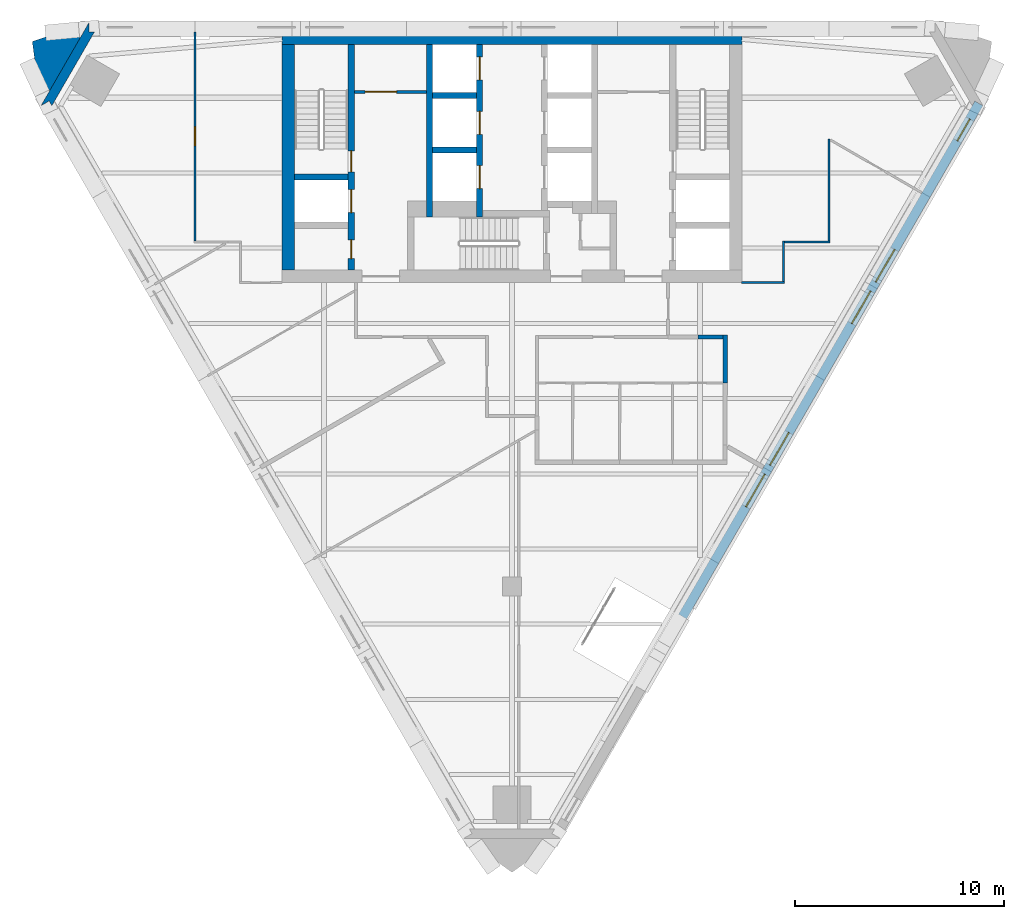
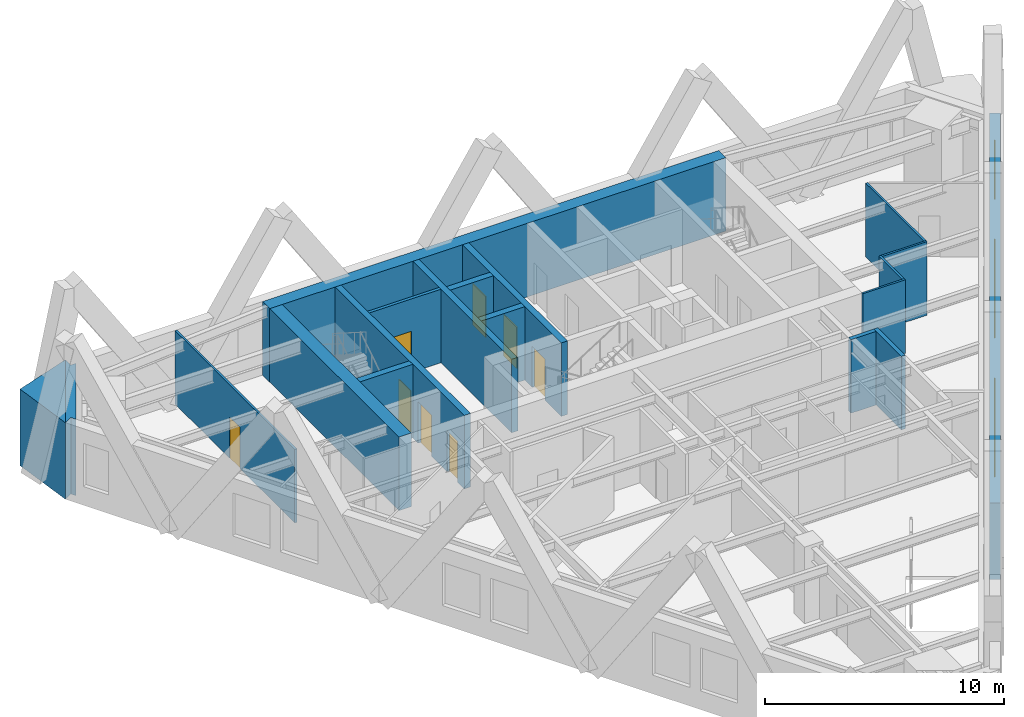
# One storey, part 6 of 11: 19 walls, 8 doors, 5 windows, 13 openings.
"""IFC4 building model written with IfcOpenShell, lengths in metres."""

from ifc_helpers import new_model, si_unit, direction, frame, frame_2d, origin, place, context, subcontext, project, spatial, polyline, rectangle, outline, extrude, material, layer, layer_set, type_object, element, fill, save


model = new_model("IFC4")

# Units and contexts
model_context = context("Model", 3, precision=1e-05, world=origin(), true_north=direction((0.0, 1.0)))
body_context = subcontext(model_context, "Body", "Model", "MODEL_VIEW")
ifc_project = project(units=[si_unit("LENGTHUNIT", "METRE"), si_unit("AREAUNIT", "SQUARE_METRE"), si_unit("VOLUMEUNIT", "CUBIC_METRE"), si_unit("PLANEANGLEUNIT", "RADIAN"), si_unit("MASSUNIT", "GRAM", prefix="KILO")], contexts=[model_context])

# Site, building, storey
site_placement = place(None, origin())
site = spatial("IfcSite", under=ifc_project, at=site_placement, CompositionType="ELEMENT")
building_placement = place(site_placement, origin())
building = spatial("IfcBuilding", under=site, at=building_placement, Name="Aloe Facet Convention Tower", CompositionType="ELEMENT")
storey_placement = place(building_placement, frame((0.0, 0.0, 167.60009765625)))
storey = spatial("IfcBuildingStorey", under=building, at=storey_placement, Name="L42", CompositionType="ELEMENT", Elevation=167.60009765625)

# Wall, opening, door
ifc_material_1 = material(Name="Concrete blockwork partition", Category="masonry")
ifc_layer_1 = layer(ifc_material_1, 0.14990234375)
ifc_layer_set_1 = layer_set([ifc_layer_1], Name="CR-W-PART150")
wall_type_1 = type_object("IfcWallType", Name="CR-W-PART150", PredefinedType="PARTITIONING", material=ifc_layer_set_1)
wall_1_placement = place(storey_placement, frame((72.449951171875, 131.675048828125, 0.0), z_axis=(0.0, 0.0, 1.0), x_axis=(1.0, 0.0, 0.0)))
wall_1 = element("IfcWall", 1, at=wall_1_placement, inside=storey, type_object=wall_type_1, Name="Core partition L42-007", PredefinedType="PARTITIONING", context=body_context, shape_type="SweptSolid", body=[
    extrude(rectangle(XDim=3.449951171875, YDim=0.14990234375, at=frame_2d((1.72509765625, 0.0))), origin(), (0.0, 0.0, 1.0), 3.75),
])
opening_1_placement = place(wall_1_placement, frame((0.52490234375, 0.0, 0.0)))
opening_1 = element("IfcOpeningElement", 2, at=opening_1_placement, cuts=wall_1, Name="Opening L42-CD14", PredefinedType="OPENING", context=body_context, shape_type="SweptSolid", body=[
    extrude(rectangle(XDim=1.5, YDim=2.10009765625, at=frame_2d((0.75, 1.050048828125))), frame((0.0, 0.0849609375, 0.0), z_axis=(0.0, -1.0, 0.0), x_axis=(1.0, 0.0, 0.0)), (0.0, 0.0, 1.0), 0.169921875),
])
ifc_material_2 = material(Name="Steel fire-resisting door set FD60", Category="steel")
door_type_1 = type_object("IfcDoorType", Name="CR-D-REFUGE-1500-FD60-DD", OperationType="DOUBLE_DOOR_DOUBLE_SWING", PredefinedType="DOOR", material=ifc_material_2)
door_1_placement = place(opening_1_placement, origin())
door_1 = element("IfcDoor", 3, at=door_1_placement, inside=storey, type_object=door_type_1, Name="Core door L42-CD14", OperationType="DOUBLE_DOOR_DOUBLE_SWING", OverallHeight=2.10009765625, OverallWidth=1.5, PredefinedType="DOOR", context=body_context, shape_type="SweptSolid", body=[
    extrude(rectangle(XDim=1.5, YDim=2.10009765625, at=frame_2d((0.75, 1.050048828125))), frame((0.0, 0.02490234375, 0.0), z_axis=(0.0, -1.0, 0.0), x_axis=(1.0, 0.0, 0.0)), (0.0, 0.0, 1.0), 0.050048828125),
])
fill(opening_1, door_1)

# Wall
ifc_material_3 = material(Name="Concrete C60/75", Category="concrete")
ifc_layer_2 = layer(ifc_material_3, 0.300048828125)
ifc_layer_set_2 = layer_set([ifc_layer_2], Name="CR-W-RC300-C6075")
wall_type_2 = type_object("IfcWallType", Name="CR-W-RC300-C6075", PredefinedType="SOLIDWALL", material=ifc_layer_set_2)
wall_2_placement = place(storey_placement, frame((69.60009765625, 127.60009765625, 0.0), z_axis=(0.0, 0.0, 1.0), x_axis=(1.0, 0.0, 0.0)))
element("IfcWall", 4, at=wall_2_placement, inside=storey, type_object=wall_type_2, Name="Core wall L42-004", PredefinedType="SOLIDWALL", context=body_context, shape_type="SweptSolid", body=[
    extrude(rectangle(XDim=2.5498046875, YDim=0.300048828125, at=frame_2d((1.27490234375, 0.0))), origin(), (0.0, 0.0, 1.0), 3.75),
])

# Wall, openings, doors
wall_3_placement = place(storey_placement, frame((72.300048828125, 133.949951171875, 0.0), z_axis=(0.0, 0.0, 1.0), x_axis=(0.0, -1.0, 0.0)))
wall_3 = element("IfcWall", 5, at=wall_3_placement, inside=storey, type_object=wall_type_2, Name="Core wall L42-006", PredefinedType="SOLIDWALL", context=body_context, shape_type="SweptSolid", body=[
    extrude(rectangle(XDim=10.800048828125, YDim=0.300048828125, at=frame_2d((5.39990234375, 0.0))), origin(), (0.0, 0.0, 1.0), 3.75),
])
opening_2_placement = place(wall_3_placement, frame((6.949951171875, 0.0, 0.0)))
opening_2 = element("IfcOpeningElement", 6, at=opening_2_placement, cuts=wall_3, Name="Opening LD-FF1-L42", PredefinedType="OPENING", context=body_context, shape_type="SweptSolid", body=[
    extrude(rectangle(XDim=1.10009765625, YDim=2.10009765625, at=frame_2d((0.550048828125, 1.050048828125))), frame((0.0, 0.16015625, 0.0), z_axis=(0.0, -1.0, 0.0), x_axis=(1.0, 0.0, 0.0)), (0.0, 0.0, 1.0), 0.320068359375),
])
opening_3_placement = place(wall_3_placement, frame((9.35009765625, 0.0, 0.0)))
opening_3 = element("IfcOpeningElement", 7, at=opening_3_placement, cuts=wall_3, Name="Opening L42-CD15", PredefinedType="OPENING", context=body_context, shape_type="SweptSolid", body=[
    extrude(rectangle(XDim=0.89990234375, YDim=2.10009765625, at=frame_2d((0.449951171875, 1.050048828125))), frame((0.0, 0.16015625, 0.0), z_axis=(0.0, -1.0, 0.0), x_axis=(1.0, 0.0, 0.0)), (0.0, 0.0, 1.0), 0.320068359375),
])
opening_4_placement = place(wall_3_placement, frame((5.10009765625, 0.0, 0.0)))
opening_4 = element("IfcOpeningElement", 8, at=opening_4_placement, cuts=wall_3, Name="Opening L42-CD16", PredefinedType="OPENING", context=body_context, shape_type="SweptSolid", body=[
    extrude(rectangle(XDim=1.0, YDim=2.10009765625, at=frame_2d((0.5, 1.050048828125))), frame((0.0, 0.16015625, 0.0), z_axis=(0.0, -1.0, 0.0), x_axis=(1.0, 0.0, 0.0)), (0.0, 0.0, 1.0), 0.320068359375),
])
ifc_material_4 = material(Name="Steel fire-resisting door set FD60", Category="steel")
door_type_2 = type_object("IfcDoorType", Name="CR-D-ROOM-900-FD60-SLEFT", OperationType="SINGLE_SWING_LEFT", PredefinedType="DOOR", material=ifc_material_4)
door_2_placement = place(opening_3_placement, origin())
door_2 = element("IfcDoor", 9, at=door_2_placement, inside=storey, type_object=door_type_2, Name="Core door L42-CD15", OperationType="SINGLE_SWING_LEFT", OverallHeight=2.10009765625, OverallWidth=0.89990234375, PredefinedType="DOOR", context=body_context, shape_type="SweptSolid", body=[
    extrude(rectangle(XDim=0.89990234375, YDim=2.10009765625, at=frame_2d((0.449951171875, 1.050048828125))), frame((0.0, 0.02490234375, 0.0), z_axis=(0.0, -1.0, 0.0), x_axis=(1.0, 0.0, 0.0)), (0.0, 0.0, 1.0), 0.050048828125),
])
fill(opening_3, door_2)
ifc_material_5 = material(Name="Steel fire-resisting door set FD120", Category="steel")
door_type_3 = type_object("IfcDoorType", Name="CR-D-STAIR-1000-FD120-SRIGHT", OperationType="SINGLE_SWING_RIGHT", PredefinedType="DOOR", material=ifc_material_5)
door_3_placement = place(opening_4_placement, origin())
door_3 = element("IfcDoor", 10, at=door_3_placement, inside=storey, type_object=door_type_3, Name="Core door L42-CD16", OperationType="SINGLE_SWING_RIGHT", OverallHeight=2.10009765625, OverallWidth=1.0, PredefinedType="DOOR", context=body_context, shape_type="SweptSolid", body=[
    extrude(rectangle(XDim=1.0, YDim=2.10009765625, at=frame_2d((0.5, 1.050048828125))), frame((0.0, 0.02490234375, 0.0), z_axis=(0.0, -1.0, 0.0), x_axis=(1.0, 0.0, 0.0)), (0.0, 0.0, 1.0), 0.050048828125),
])
fill(opening_4, door_3)
ifc_material_6 = material(Name="Stainless steel sliding landing door", Category="steel")
door_type_4 = type_object("IfcDoorType", Name="CR-LD-1100-FD120-_LEFT", OperationType="SLIDING_TO_LEFT", PredefinedType="DOOR", material=ifc_material_6)
door_4_placement = place(opening_2_placement, origin())
door_4 = element("IfcDoor", 11, at=door_4_placement, inside=storey, type_object=door_type_4, Name="Landing door FF1 L42", OperationType="SLIDING_TO_LEFT", OverallHeight=2.10009765625, OverallWidth=1.10009765625, PredefinedType="DOOR", context=body_context, shape_type="SweptSolid", body=[
    extrude(rectangle(XDim=1.10009765625, YDim=2.10009765625, at=frame_2d((0.550048828125, 1.050048828125))), frame((0.0, 0.02490234375, 0.0), z_axis=(0.0, -1.0, 0.0), x_axis=(1.0, 0.0, 0.0)), (0.0, 0.0, 1.0), 0.050048828125),
])
fill(opening_2, door_4)

# Walls
wall_4_placement = place(storey_placement, frame((76.050048828125, 133.949951171875, 0.0), z_axis=(0.0, 0.0, 1.0), x_axis=(0.0, -1.0, 0.0)))
element("IfcWall", 12, at=wall_4_placement, inside=storey, type_object=wall_type_2, Name="Core wall L42-010", PredefinedType="SOLIDWALL", context=body_context, shape_type="SweptSolid", body=[
    extrude(rectangle(XDim=8.25, YDim=0.300048828125, at=frame_2d((4.125, 0.0))), origin(), (0.0, 0.0, 1.0), 3.75),
])
for number, where, z_axis, x_axis, name in (
    (13, (76.199951171875, 131.5, 0.0), (0.0, 0.0, 1.0), (1.0, 0.0, 0.0), "Core wall L42-011"),
    (14, (76.199951171875, 128.89990234375, 0.0), (0.0, 0.0, 1.0), (1.0, 0.0, 0.0), "Core wall L42-012"),
):
    element("IfcWall", number, at=place(storey_placement, frame(where, z_axis=z_axis, x_axis=x_axis)), inside=storey, type_object=wall_type_2, Name=name, PredefinedType="SOLIDWALL", context=body_context, shape_type="SweptSolid", body=[
        extrude(rectangle(XDim=2.10009765625, YDim=0.300048828125, at=frame_2d((1.050048828125, 0.0))), origin(), (0.0, 0.0, 1.0), 3.75),
    ])

# Wall, openings, doors
wall_5_placement = place(storey_placement, frame((78.449951171875, 133.949951171875, 0.0), z_axis=(0.0, 0.0, 1.0), x_axis=(0.0, -1.0, 0.0)))
wall_5 = element("IfcWall", 15, at=wall_5_placement, inside=storey, type_object=wall_type_2, Name="Core wall L42-014", PredefinedType="SOLIDWALL", context=body_context, shape_type="SweptSolid", body=[
    extrude(rectangle(XDim=8.25, YDim=0.300048828125, at=frame_2d((4.125, 0.0))), origin(), (0.0, 0.0, 1.0), 3.75),
])
opening_5_placement = place(wall_5_placement, frame((0.60009765625, 0.0, 0.0)))
opening_5 = element("IfcOpeningElement", 16, at=opening_5_placement, cuts=wall_5, Name="Opening LD-B1-L42", PredefinedType="OPENING", context=body_context, shape_type="SweptSolid", body=[
    extrude(rectangle(XDim=1.10009765625, YDim=2.10009765625, at=frame_2d((0.550048828125, 1.050048828125))), frame((0.0, 0.16015625, 0.0), z_axis=(0.0, -1.0, 0.0), x_axis=(1.0, 0.0, 0.0)), (0.0, 0.0, 1.0), 0.320068359375),
])
opening_6_placement = place(wall_5_placement, frame((3.199951171875, 0.0, 0.0)))
opening_6 = element("IfcOpeningElement", 17, at=opening_6_placement, cuts=wall_5, Name="Opening LD-B2-L42", PredefinedType="OPENING", context=body_context, shape_type="SweptSolid", body=[
    extrude(rectangle(XDim=1.10009765625, YDim=2.10009765625, at=frame_2d((0.550048828125, 1.050048828125))), frame((0.0, 0.16015625, 0.0), z_axis=(0.0, -1.0, 0.0), x_axis=(1.0, 0.0, 0.0)), (0.0, 0.0, 1.0), 0.320068359375),
])
opening_7_placement = place(wall_5_placement, frame((5.800048828125, 0.0, 0.0)))
opening_7 = element("IfcOpeningElement", 18, at=opening_7_placement, cuts=wall_5, Name="Opening LD-B3-L42", PredefinedType="OPENING", context=body_context, shape_type="SweptSolid", body=[
    extrude(rectangle(XDim=1.10009765625, YDim=2.10009765625, at=frame_2d((0.550048828125, 1.050048828125))), frame((0.0, 0.16015625, 0.0), z_axis=(0.0, -1.0, 0.0), x_axis=(1.0, 0.0, 0.0)), (0.0, 0.0, 1.0), 0.320068359375),
])
ifc_material_7 = material(Name="Stainless steel sliding landing door", Category="steel")
door_type_5 = type_object("IfcDoorType", Name="CR-LD-1100-FD60-RIGHT", OperationType="SLIDING_TO_RIGHT", PredefinedType="DOOR", material=ifc_material_7)
door_5_placement = place(opening_5_placement, origin())
door_5 = element("IfcDoor", 19, at=door_5_placement, inside=storey, type_object=door_type_5, Name="Landing door B1 L42", OperationType="SLIDING_TO_RIGHT", OverallHeight=2.10009765625, OverallWidth=1.10009765625, PredefinedType="DOOR", context=body_context, shape_type="SweptSolid", body=[
    extrude(rectangle(XDim=1.10009765625, YDim=2.10009765625, at=frame_2d((0.550048828125, 1.050048828125))), frame((0.0, 0.02490234375, 0.0), z_axis=(0.0, -1.0, 0.0), x_axis=(1.0, 0.0, 0.0)), (0.0, 0.0, 1.0), 0.050048828125),
])
fill(opening_5, door_5)
door_6_placement = place(opening_6_placement, origin())
door_6 = element("IfcDoor", 20, at=door_6_placement, inside=storey, type_object=door_type_5, Name="Landing door B2 L42", OperationType="SLIDING_TO_RIGHT", OverallHeight=2.10009765625, OverallWidth=1.10009765625, PredefinedType="DOOR", context=body_context, shape_type="SweptSolid", body=[
    extrude(rectangle(XDim=1.10009765625, YDim=2.10009765625, at=frame_2d((0.550048828125, 1.050048828125))), frame((0.0, 0.02490234375, 0.0), z_axis=(0.0, -1.0, 0.0), x_axis=(1.0, 0.0, 0.0)), (0.0, 0.0, 1.0), 0.050048828125),
])
fill(opening_6, door_6)
door_7_placement = place(opening_7_placement, origin())
door_7 = element("IfcDoor", 21, at=door_7_placement, inside=storey, type_object=door_type_5, Name="Landing door B3 L42", OperationType="SLIDING_TO_RIGHT", OverallHeight=2.10009765625, OverallWidth=1.10009765625, PredefinedType="DOOR", context=body_context, shape_type="SweptSolid", body=[
    extrude(rectangle(XDim=1.10009765625, YDim=2.10009765625, at=frame_2d((0.550048828125, 1.050048828125))), frame((0.0, 0.02490234375, 0.0), z_axis=(0.0, -1.0, 0.0), x_axis=(1.0, 0.0, 0.0)), (0.0, 0.0, 1.0), 0.050048828125),
])
fill(opening_7, door_7)

# Walls
ifc_material_8 = material(Name="Concrete C60/75", Category="concrete")
ifc_layer_3 = layer(ifc_material_8, 0.60009765625)
ifc_layer_set_3 = layer_set([ifc_layer_3], Name="CR-W-RC600-C6075")
wall_type_3 = type_object("IfcWallType", Name="CR-W-RC600-C6075", PredefinedType="SOLIDWALL", material=ifc_layer_set_3)
wall_6_placement = place(storey_placement, frame((69.0, 134.25, 0.0), z_axis=(0.0, 0.0, 1.0), x_axis=(1.0, 0.0, 0.0)))
element("IfcWall", 22, at=wall_6_placement, inside=storey, type_object=wall_type_3, Name="Core wall L42-001", PredefinedType="SOLIDWALL", context=body_context, shape_type="SweptSolid", body=[
    extrude(rectangle(XDim=22.0, YDim=0.60009765625, at=frame_2d((11.0, 0.0))), origin(), (0.0, 0.0, 1.0), 3.75),
])
wall_7_placement = place(storey_placement, frame((69.300048828125, 133.949951171875, 0.0), z_axis=(0.0, 0.0, 1.0), x_axis=(0.0, -1.0, 0.0)))
element("IfcWall", 23, at=wall_7_placement, inside=storey, type_object=wall_type_3, Name="Core wall L42-002", PredefinedType="SOLIDWALL", context=body_context, shape_type="SweptSolid", body=[
    extrude(rectangle(XDim=10.800048828125, YDim=0.60009765625, at=frame_2d((5.39990234375, 0.0))), origin(), (0.0, 0.0, 1.0), 3.75),
])
ifc_material_9 = material(Name="Precast concrete C40/50", Category="concrete")
ifc_layer_4 = layer(ifc_material_9, 0.449951171875)
ifc_layer_set_4 = layer_set([ifc_layer_4], Name="EV-WALL-PIER")
wall_type_4 = type_object("IfcWallType", Name="EV-WALL-PIER", PredefinedType="SOLIDWALL", material=ifc_layer_set_4)
wall_8_placement = place(storey_placement, frame((0.0, 0.0, -0.150146484375)))
element("IfcWall", 24, at=wall_8_placement, inside=storey, type_object=wall_type_4, Name="EP-L42-A", PredefinedType="SOLIDWALL", context=body_context, shape_type="SweptSolid", body=[
    extrude(outline(polyline([(59.7568359375, 135.0), (59.7568359375, 134.550048828125), (60.016845703125, 134.550048828125), (57.9765625, 131.016357421875), (57.8466796875, 131.2412109375), (57.45703125, 131.016357421875), (59.7568359375, 135.0)])), origin(), (0.0, 0.0, 1.0), 3.900146484375),
])
ifc_material_10 = material(Name="Precast concrete C40/50", Category="concrete")
ifc_layer_5 = layer(ifc_material_10, 3.947998046875)
ifc_layer_set_5 = layer_set([ifc_layer_5], Name="EV-WALL-SPINE")
wall_type_5 = type_object("IfcWallType", Name="EV-WALL-SPINE", PredefinedType="SOLIDWALL", material=ifc_layer_set_5)
wall_9_placement = place(storey_placement, frame((0.0, 0.0, -0.150146484375)))
element("IfcWall", 25, at=wall_9_placement, inside=storey, type_object=wall_type_5, Name="SP-NW-L42", PredefinedType="SOLIDWALL", context=body_context, shape_type="SweptSolid", body=[
    extrude(outline(polyline([(59.7568359375, 135.0), (57.03955078125, 134.09130859375), (57.45703125, 131.016357421875), (59.7568359375, 135.0)])), origin(), (0.0, 0.0, 1.0), 3.900146484375),
])

# Wall, openings, windows
ifc_material_11 = material(Name="Precast concrete C40/50", Category="concrete")
ifc_layer_6 = layer(ifc_material_11, 0.449951171875)
ifc_layer_set_6 = layer_set([ifc_layer_6], Name="EV-WALL-STONE")
wall_type_6 = type_object("IfcWallType", Name="EV-WALL-STONE", PredefinedType="SOLIDWALL", material=ifc_layer_set_6)
wall_10_placement = place(storey_placement, frame((88.166015625, 106.564208984375, -0.150146484375), z_axis=(0.0, 0.0, 1.0), x_axis=(0.499995644604, 0.866027918359, 0.0)))
wall_10 = element("IfcWall", 26, at=wall_10_placement, inside=storey, type_object=wall_type_6, Name="EW-L42-E02", PredefinedType="SOLIDWALL", context=body_context, shape_type="SweptSolid", body=[
    extrude(outline(polyline([(28.364501953125, 3.900146484375), (28.364501953125, 0.0), (0.0, 0.0), (0.0, 3.900146484375), (28.364501953125, 3.900146484375)])), frame((0.0, 0.22509765625, 0.0), z_axis=(0.0, -1.0, 0.0), x_axis=(1.0, 0.0, 0.0)), (0.0, 0.0, 1.0), 0.449951171875),
])
opening_8_placement = place(wall_10_placement, frame((6.071533203125, 0.0, 0.949951171875)))
opening_8 = element("IfcOpeningElement", 27, at=opening_8_placement, cuts=wall_10, Name="Opening W-L42-E02", PredefinedType="OPENING", context=body_context, shape_type="SweptSolid", body=[
    extrude(rectangle(XDim=1.800048828125, YDim=2.199951171875, at=frame_2d((0.89990234375, 1.10009765625))), frame((0.0, 0.23486328125, 0.0), z_axis=(0.0, -1.0, 0.0), x_axis=(1.0, 0.0, 0.0)), (0.0, 0.0, 1.0), 0.469970703125),
])
opening_9_placement = place(wall_10_placement, frame((8.37158203125, 0.0, 0.949951171875)))
opening_9 = element("IfcOpeningElement", 28, at=opening_9_placement, cuts=wall_10, Name="Opening W-L42-E03", PredefinedType="OPENING", context=body_context, shape_type="SweptSolid", body=[
    extrude(rectangle(XDim=1.800048828125, YDim=2.199951171875, at=frame_2d((0.89990234375, 1.10009765625))), frame((0.0, 0.23486328125, 0.0), z_axis=(0.0, -1.0, 0.0), x_axis=(1.0, 0.0, 0.0)), (0.0, 0.0, 1.0), 0.469970703125),
])
opening_10_placement = place(wall_10_placement, frame((16.193115234375, 0.0, 0.949951171875)))
opening_10 = element("IfcOpeningElement", 29, at=opening_10_placement, cuts=wall_10, Name="Opening W-L42-E04", PredefinedType="OPENING", context=body_context, shape_type="SweptSolid", body=[
    extrude(rectangle(XDim=1.800048828125, YDim=2.199951171875, at=frame_2d((0.89990234375, 1.10009765625))), frame((0.0, 0.23486328125, 0.0), z_axis=(0.0, -1.0, 0.0), x_axis=(1.0, 0.0, 0.0)), (0.0, 0.0, 1.0), 0.469970703125),
])
opening_11_placement = place(wall_10_placement, frame((18.4931640625, 0.0, 0.949951171875)))
opening_11 = element("IfcOpeningElement", 30, at=opening_11_placement, cuts=wall_10, Name="Opening W-L42-E05", PredefinedType="OPENING", context=body_context, shape_type="SweptSolid", body=[
    extrude(rectangle(XDim=1.800048828125, YDim=2.199951171875, at=frame_2d((0.89990234375, 1.10009765625))), frame((0.0, 0.23486328125, 0.0), z_axis=(0.0, -1.0, 0.0), x_axis=(1.0, 0.0, 0.0)), (0.0, 0.0, 1.0), 0.469970703125),
])
opening_12_placement = place(wall_10_placement, frame((26.294921875, 0.0, 0.949951171875)))
opening_12 = element("IfcOpeningElement", 31, at=opening_12_placement, cuts=wall_10, Name="Opening W-L42-E06", PredefinedType="OPENING", context=body_context, shape_type="SweptSolid", body=[
    extrude(rectangle(XDim=1.199951171875, YDim=2.199951171875, at=frame_2d((0.60009765625, 1.10009765625))), frame((0.0, 0.23486328125, 0.0), z_axis=(0.0, -1.0, 0.0), x_axis=(1.0, 0.0, 0.0)), (0.0, 0.0, 1.0), 0.469970703125),
])
ifc_material_12 = material(Name="Aluminium frame, clear double glazing", Category="aluminium")
window_type_1 = type_object("IfcWindowType", Name="EV-WIN-O12", PartitioningType="SINGLE_PANEL", PredefinedType="WINDOW", material=ifc_material_12)
window_1_placement = place(opening_12_placement, origin())
window_1 = element("IfcWindow", 32, at=window_1_placement, inside=storey, type_object=window_type_1, Name="W-L42-E06", OverallHeight=2.199951171875, OverallWidth=1.199951171875, PartitioningType="SINGLE_PANEL", PredefinedType="WINDOW", context=body_context, shape_type="SweptSolid", body=[
    extrude(rectangle(XDim=1.199951171875, YDim=2.199951171875, at=frame_2d((0.60009765625, 1.10009765625))), frame((0.0, 0.030029296875, 0.0), z_axis=(0.0, -1.0, 0.0), x_axis=(1.0, 0.0, 0.0)), (0.0, 0.0, 1.0), 0.06005859375),
])
fill(opening_12, window_1)
ifc_material_13 = material(Name="Aluminium frame, clear double glazing", Category="aluminium")
window_type_2 = type_object("IfcWindowType", Name="EV-WIN-O18", PartitioningType="SINGLE_PANEL", PredefinedType="WINDOW", material=ifc_material_13)
window_2_placement = place(opening_8_placement, origin())
window_2 = element("IfcWindow", 33, at=window_2_placement, inside=storey, type_object=window_type_2, Name="W-L42-E02", OverallHeight=2.199951171875, OverallWidth=1.800048828125, PartitioningType="SINGLE_PANEL", PredefinedType="WINDOW", context=body_context, shape_type="SweptSolid", body=[
    extrude(rectangle(XDim=1.800048828125, YDim=2.199951171875, at=frame_2d((0.89990234375, 1.10009765625))), frame((0.0, 0.030029296875, 0.0), z_axis=(0.0, -1.0, 0.0), x_axis=(1.0, 0.0, 0.0)), (0.0, 0.0, 1.0), 0.06005859375),
])
fill(opening_8, window_2)
window_3_placement = place(opening_9_placement, origin())
window_3 = element("IfcWindow", 34, at=window_3_placement, inside=storey, type_object=window_type_2, Name="W-L42-E03", OverallHeight=2.199951171875, OverallWidth=1.800048828125, PartitioningType="SINGLE_PANEL", PredefinedType="WINDOW", context=body_context, shape_type="SweptSolid", body=[
    extrude(rectangle(XDim=1.800048828125, YDim=2.199951171875, at=frame_2d((0.89990234375, 1.10009765625))), frame((0.0, 0.030029296875, 0.0), z_axis=(0.0, -1.0, 0.0), x_axis=(1.0, 0.0, 0.0)), (0.0, 0.0, 1.0), 0.06005859375),
])
fill(opening_9, window_3)
window_4_placement = place(opening_10_placement, origin())
window_4 = element("IfcWindow", 35, at=window_4_placement, inside=storey, type_object=window_type_2, Name="W-L42-E04", OverallHeight=2.199951171875, OverallWidth=1.800048828125, PartitioningType="SINGLE_PANEL", PredefinedType="WINDOW", context=body_context, shape_type="SweptSolid", body=[
    extrude(rectangle(XDim=1.800048828125, YDim=2.199951171875, at=frame_2d((0.89990234375, 1.10009765625))), frame((0.0, 0.030029296875, 0.0), z_axis=(0.0, -1.0, 0.0), x_axis=(1.0, 0.0, 0.0)), (0.0, 0.0, 1.0), 0.06005859375),
])
fill(opening_10, window_4)
window_5_placement = place(opening_11_placement, origin())
window_5 = element("IfcWindow", 36, at=window_5_placement, inside=storey, type_object=window_type_2, Name="W-L42-E05", OverallHeight=2.199951171875, OverallWidth=1.800048828125, PartitioningType="SINGLE_PANEL", PredefinedType="WINDOW", context=body_context, shape_type="SweptSolid", body=[
    extrude(rectangle(XDim=1.800048828125, YDim=2.199951171875, at=frame_2d((0.89990234375, 1.10009765625))), frame((0.0, 0.030029296875, 0.0), z_axis=(0.0, -1.0, 0.0), x_axis=(1.0, 0.0, 0.0)), (0.0, 0.0, 1.0), 0.06005859375),
])
fill(opening_11, window_5)

# Walls
ifc_material_14 = material(Name="Gypsum board partition on steel studs", Category="steel")
ifc_layer_7 = layer(ifc_material_14, 0.10009765625)
ifc_layer_set_7 = layer_set([ifc_layer_7], Name="IN-W-PART")
wall_type_7 = type_object("IfcWallType", Name="IN-W-PART", PredefinedType="PARTITIONING", material=ifc_layer_set_7)
wall_11_placement = place(storey_placement, frame((90.990234375, 122.550048828125, 0.0), z_axis=(0.0, 0.0, 1.0), x_axis=(1.0, 0.0, 0.0)))
element("IfcWall", 37, at=wall_11_placement, inside=storey, type_object=wall_type_7, Name="Partition L42-W038", PredefinedType="PARTITIONING", context=body_context, shape_type="SweptSolid", body=[
    extrude(rectangle(XDim=2.0576171875, YDim=0.10009765625, at=frame_2d((1.02880859375, 0.0))), origin(), (0.0, 0.0, 1.0), 3.75),
])
wall_12_placement = place(storey_placement, frame((92.998046875, 122.60009765625, 0.0), z_axis=(0.0, 0.0, 1.0), x_axis=(0.001001752565, 0.999999498246, 0.0)))
element("IfcWall", 38, at=wall_12_placement, inside=storey, type_object=wall_type_7, Name="Partition L42-W039", PredefinedType="PARTITIONING", context=body_context, shape_type="SweptSolid", body=[
    extrude(rectangle(XDim=1.94970703125, YDim=0.10009765625, at=frame_2d((0.974853515625, 0.0))), origin(), (0.0, 0.0, 1.0), 3.75),
])
wall_13_placement = place(storey_placement, frame((93.050048828125, 124.5, 0.0), z_axis=(0.0, 0.0, 1.0), x_axis=(1.0, 0.0, 0.0)))
element("IfcWall", 39, at=wall_13_placement, inside=storey, type_object=wall_type_7, Name="Partition L42-W043", PredefinedType="PARTITIONING", context=body_context, shape_type="SweptSolid", body=[
    extrude(rectangle(XDim=2.17041015625, YDim=0.10009765625, at=frame_2d((1.085205078125, 0.0))), origin(), (0.0, 0.0, 1.0), 3.75),
])
wall_14_placement = place(storey_placement, frame((95.17041015625, 124.550048828125, 0.0), z_axis=(0.0, 0.0, 1.0), x_axis=(0.000401344472, 0.999999919461, 0.0)))
element("IfcWall", 40, at=wall_14_placement, inside=storey, type_object=wall_type_7, Name="Partition L42-W044", PredefinedType="PARTITIONING", context=body_context, shape_type="SweptSolid", body=[
    extrude(rectangle(XDim=4.866455078125, YDim=0.10009765625, at=frame_2d((2.43310546875, 0.0))), origin(), (0.0, 0.0, 1.0), 3.75),
])

# Wall, opening, door
wall_15_placement = place(storey_placement, frame((64.82958984375, 124.550048828125, 0.0), z_axis=(0.0, 0.0, 1.0), x_axis=(-0.000195312496, 0.999999980927, 0.0)))
wall_15 = element("IfcWall", 41, at=wall_15_placement, inside=storey, type_object=wall_type_7, Name="Partition L42-W046", PredefinedType="PARTITIONING", context=body_context, shape_type="SweptSolid", body=[
    extrude(rectangle(XDim=10.0, YDim=0.10009765625, at=frame_2d((5.0, 0.0))), origin(), (0.0, 0.0, 1.0), 3.75),
])
opening_13_placement = place(wall_15_placement, frame((4.550048828125, 0.0, 0.0)))
opening_13 = element("IfcOpeningElement", 42, at=opening_13_placement, cuts=wall_15, Name="Opening L42-008", PredefinedType="OPENING", context=body_context, shape_type="SweptSolid", body=[
    extrude(rectangle(XDim=0.89990234375, YDim=2.10009765625, at=frame_2d((0.449951171875, 1.050048828125))), frame((0.0, 0.06005859375, 0.0), z_axis=(0.0, -1.0, 0.0), x_axis=(1.0, 0.0, 0.0)), (0.0, 0.0, 1.0), 0.1201171875),
])
ifc_material_15 = material(Name="Timber door", Category="wood")
door_type_6 = type_object("IfcDoorType", Name="IN-OFF-D-ROOM", OperationType="SINGLE_SWING_LEFT", PredefinedType="DOOR", material=ifc_material_15)
door_8_placement = place(opening_13_placement, origin())
door_8 = element("IfcDoor", 43, at=door_8_placement, inside=storey, type_object=door_type_6, Name="Door L42-008", OperationType="SINGLE_SWING_LEFT", OverallHeight=2.10009765625, OverallWidth=0.89990234375, PredefinedType="DOOR", context=body_context, shape_type="SweptSolid", body=[
    extrude(rectangle(XDim=0.89990234375, YDim=2.10009765625, at=frame_2d((0.449951171875, 1.050048828125))), frame((0.0, 0.02490234375, 0.0), z_axis=(0.0, -1.0, 0.0), x_axis=(1.0, 0.0, 0.0)), (0.0, 0.0, 1.0), 0.050048828125),
])
fill(opening_13, door_8)

# Walls
ifc_material_16 = material(Name="Gypsum board partition on steel studs", Category="steel")
ifc_layer_8 = layer(ifc_material_16, 0.199951171875)
ifc_layer_set_8 = layer_set([ifc_layer_8], Name="IN-W-PARTY")
wall_type_8 = type_object("IfcWallType", Name="IN-W-PARTY", PredefinedType="PARTITIONING", material=ifc_layer_set_8)
wall_16_placement = place(storey_placement, frame((90.202880859375, 117.75, 0.0), z_axis=(0.0, 0.0, 1.0), x_axis=(0.0, 1.0, 0.0)))
element("IfcWall", 44, at=wall_16_placement, inside=storey, type_object=wall_type_8, Name="Partition L42-W023", PredefinedType="PARTITIONING", context=body_context, shape_type="SweptSolid", body=[
    extrude(rectangle(XDim=2.300048828125, YDim=0.199951171875, at=frame_2d((1.14990234375, 0.0))), origin(), (0.0, 0.0, 1.0), 3.75),
])
wall_17_placement = place(storey_placement, frame((88.897216796875, 119.949951171875, 0.0), z_axis=(0.0, 0.0, 1.0), x_axis=(1.0, 0.0, 0.0)))
element("IfcWall", 45, at=wall_17_placement, inside=storey, type_object=wall_type_8, Name="Partition L42-W033", PredefinedType="PARTITIONING", context=body_context, shape_type="SweptSolid", body=[
    extrude(rectangle(XDim=1.205810546875, YDim=0.199951171875, at=frame_2d((0.60302734375, 0.0))), origin(), (0.0, 0.0, 1.0), 3.75),
])

save(model, "model.ifc")
